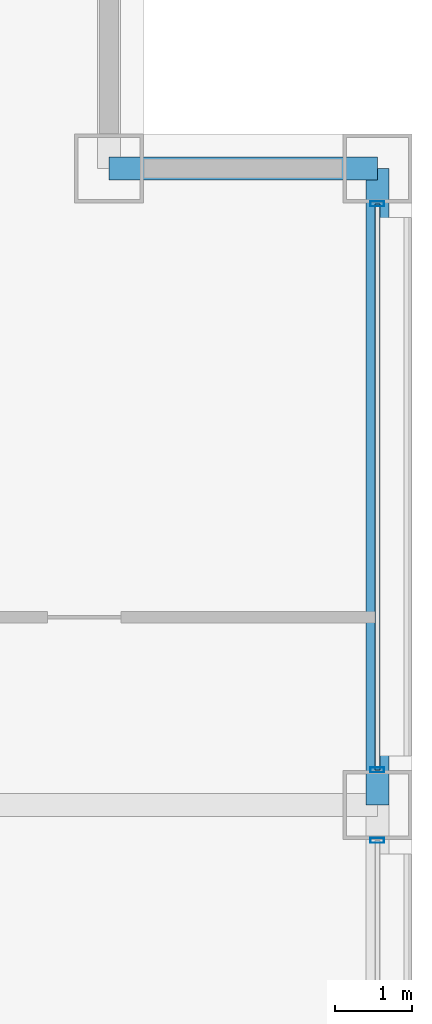
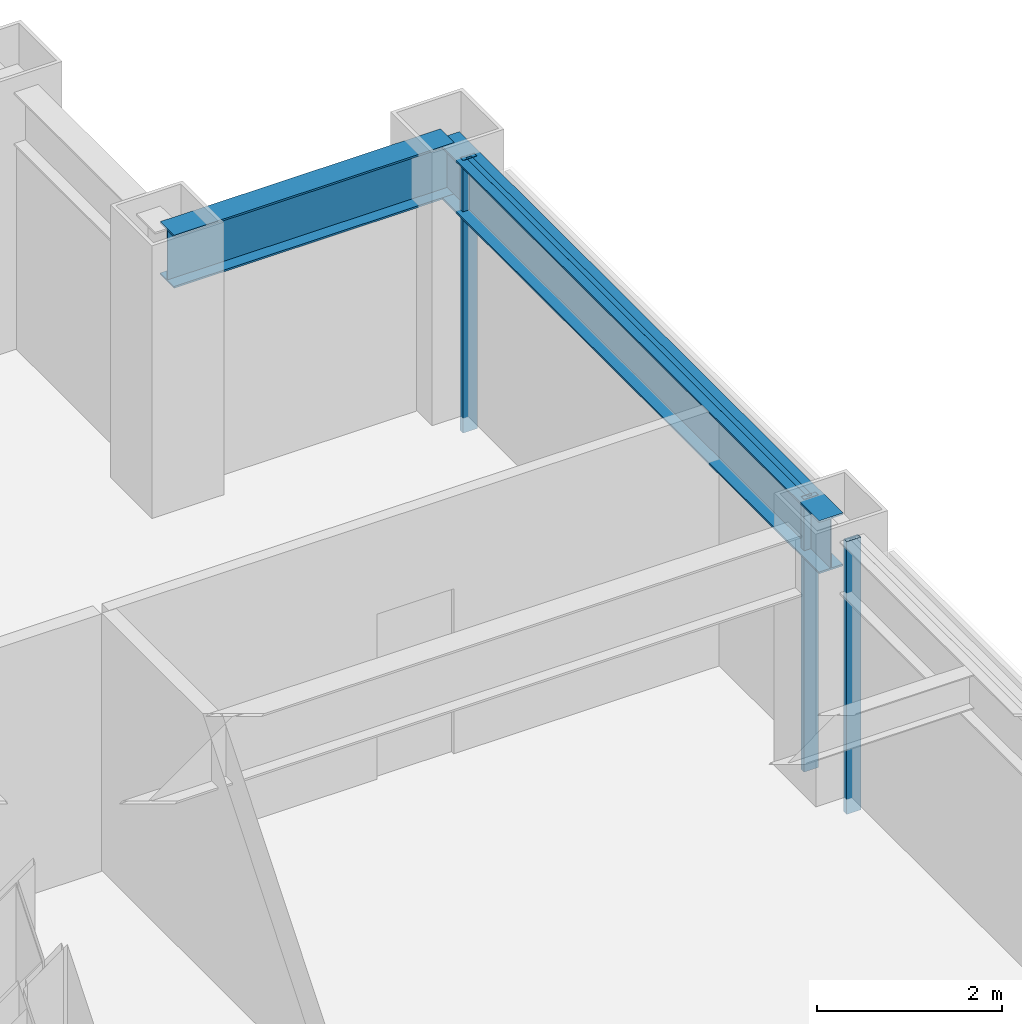
# One storey, part 20 of 29: 4 members, 2 beams, 2 elements without a shape of their own.
"""IFC4 building model written with IfcOpenShell, lengths in metres."""

from ifc_helpers import new_model, si_unit, direction, frame, origin, origin_2d, place, context, subcontext, project, spatial, hollow_rectangle, i_section, extrude, material, layer, layer_set, material_profile, profile_set, type_object, element, aggregate, save


model = new_model("IFC4")

# Units and contexts
model_context = context("Model", 3, precision=1e-05, world=origin(), true_north=direction((0.0, 1.0)))
body_context = subcontext(model_context, "Body", "Model", "MODEL_VIEW")
ifc_project = project(units=[si_unit("LENGTHUNIT", "METRE"), si_unit("AREAUNIT", "SQUARE_METRE"), si_unit("VOLUMEUNIT", "CUBIC_METRE"), si_unit("PLANEANGLEUNIT", "RADIAN"), si_unit("MASSUNIT", "GRAM", prefix="KILO")], contexts=[model_context])

# Site, building, storey
site_placement = place(None, origin())
site = spatial("IfcSite", under=ifc_project, at=site_placement, CompositionType="ELEMENT")
building_placement = place(site_placement, origin())
building = spatial("IfcBuilding", under=site, at=building_placement, Name="Brelmoor Portico Tower", CompositionType="ELEMENT")
storey_placement = place(building_placement, frame((0.0, 0.0, 63.60009765625)))
storey = spatial("IfcBuildingStorey", under=building, at=storey_placement, Name="L16", CompositionType="ELEMENT", Elevation=63.60009765625)

# Beams
ifc_material_1 = material(Name="Steel Q355B", Category="steel")
ifc_material_profile_1 = material_profile(ifc_material_1, i_section(OverallWidth=0.300048828125, OverallDepth=0.699951171875, WebThickness=0.012939453125, FlangeThickness=0.02392578125, at=origin_2d()), Name="HN 700x300x13x24")
ifc_profile_set_1 = profile_set([ifc_material_profile_1], Name="Steel Q355B")
beam_type = type_object("IfcBeamType", Name="BM-SP-700", PredefinedType="SPANDREL", material=ifc_profile_set_1)
beam_1_placement = place(storey_placement, frame((21.050048828125, 18.050048828125, 3.0498046875), z_axis=(1.0, 0.0, 0.0), x_axis=(0.0, 1.0, 0.0)))
element("IfcBeam", 1, at=beam_1_placement, inside=storey, type_object=beam_type, Name="L16 Perimeter Spandrel Beam SP-09", PredefinedType="SPANDREL", context=body_context, shape_type="SweptSolid", body=[
    extrude(i_section(OverallWidth=0.300048828125, OverallDepth=0.699951171875, WebThickness=0.012939453125, FlangeThickness=0.02392578125, at=origin_2d()), origin(), (0.0, 0.0, 1.0), 3.5),
])
beam_2_placement = place(storey_placement, frame((24.550048828125, 9.75, 3.0498046875), z_axis=(0.0, 1.0, 0.0), x_axis=(-1.0, 0.0, 0.0)))
element("IfcBeam", 2, at=beam_2_placement, inside=storey, type_object=beam_type, Name="L16 Perimeter Spandrel Beam SP-24", PredefinedType="SPANDREL", context=body_context, shape_type="SweptSolid", body=[
    extrude(i_section(OverallWidth=0.300048828125, OverallDepth=0.699951171875, WebThickness=0.012939453125, FlangeThickness=0.02392578125, at=origin_2d()), origin(), (0.0, 0.0, 1.0), 8.300048828125),
])

# Curtain wall, member
ifc_material_2 = material(Name="Anodised Aluminium Alloy 6063-T6", Category="aluminium")
ifc_layer = layer(ifc_material_2, 0.179931640625)
ifc_layer_set = layer_set([ifc_layer], Name="Anodised Aluminium Alloy 6063-T6")
curtain_wall_type = type_object("IfcCurtainWallType", Name="CW-TOWER-Z1-XB", PredefinedType="NOTDEFINED", material=ifc_layer_set)
curtain_wall_1_placement = place(storey_placement, origin())
curtain_wall_1 = element("IfcCurtainWall", 3, at=curtain_wall_1_placement, inside=storey, type_object=curtain_wall_type, Name="L16 Curtain Wall CW-L16-04-2", PredefinedType="NOTDEFINED")
ifc_material_profile_2 = material_profile(ifc_material_2, hollow_rectangle(XDim=0.06494140625, YDim=0.179931640625, WallThickness=0.00390625, at=origin_2d()), Name="ALU MULLION 65x180")
ifc_profile_set_2 = profile_set([ifc_material_profile_2], Name="Anodised Aluminium Alloy 6063-T6")
member_type_1 = type_object("IfcMemberType", Name="MB-CW-MULL-180", PredefinedType="MULLION", material=ifc_profile_set_2)
member_1_placement = place(storey_placement, frame((24.550048828125, 9.2900390625, -0.2001953125), z_axis=(0.0, 0.0, 1.0), x_axis=(0.0, 1.0, 0.0)))
member_1 = element("IfcMember", 4, at=member_1_placement, type_object=member_type_1, Name="CW-L16-04-2 Mullion 02", PredefinedType="MULLION", context=body_context, shape_type="SweptSolid", body=[
    extrude(hollow_rectangle(XDim=0.06494140625, YDim=0.179931640625, WallThickness=0.00390625, at=origin_2d()), origin(), (0.0, 0.0, 1.0), 3.60009765625),
])
aggregate(curtain_wall_1, [member_1])

# Curtain wall, members
curtain_wall_2_placement = place(storey_placement, origin())
curtain_wall_2 = element("IfcCurtainWall", 5, at=curtain_wall_2_placement, inside=storey, type_object=curtain_wall_type, Name="L16 Curtain Wall CW-L16-04-3", PredefinedType="NOTDEFINED")
member_2_placement = place(storey_placement, frame((24.550048828125, 10.2099609375, -0.2001953125), z_axis=(0.0, 0.0, 1.0), x_axis=(0.0, 1.0, 0.0)))
member_2 = element("IfcMember", 6, at=member_2_placement, type_object=member_type_1, Name="CW-L16-04-3 Mullion 00", PredefinedType="MULLION", context=body_context, shape_type="SweptSolid", body=[
    extrude(hollow_rectangle(XDim=0.06494140625, YDim=0.179931640625, WallThickness=0.00390625, at=origin_2d()), origin(), (0.0, 0.0, 1.0), 3.60009765625),
])
member_3_placement = place(storey_placement, frame((24.550048828125, 17.590087890625, -0.2001953125), z_axis=(0.0, 0.0, 1.0), x_axis=(0.0, 1.0, 0.0)))
member_3 = element("IfcMember", 7, at=member_3_placement, type_object=member_type_1, Name="CW-L16-04-3 Mullion 01", PredefinedType="MULLION", context=body_context, shape_type="SweptSolid", body=[
    extrude(hollow_rectangle(XDim=0.06494140625, YDim=0.179931640625, WallThickness=0.00390625, at=origin_2d()), origin(), (0.0, 0.0, 1.0), 3.60009765625),
])
ifc_material_profile_3 = material_profile(ifc_material_2, hollow_rectangle(XDim=0.06494140625, YDim=0.139892578125, WallThickness=0.00390625, at=origin_2d()), Name="ALU TRANSOM 65x140")
ifc_profile_set_3 = profile_set([ifc_material_profile_3], Name="Anodised Aluminium Alloy 6063-T6")
member_type_2 = type_object("IfcMemberType", Name="MB-CW-TRAN-140", PredefinedType="USERDEFINED", material=ifc_profile_set_3)
member_4_placement = place(storey_placement, frame((24.550048828125, 10.2099609375, 3.329833984375), z_axis=(0.0, 1.0, 0.0), x_axis=(-1.0, 0.0, 0.0)))
member_4 = element("IfcMember", 8, at=member_4_placement, type_object=member_type_2, Name="CW-L16-04-3 Transom 1-00", ObjectType="TRANSOM", PredefinedType="USERDEFINED", context=body_context, shape_type="SweptSolid", body=[
    extrude(hollow_rectangle(XDim=0.06494140625, YDim=0.139892578125, WallThickness=0.00390625, at=origin_2d()), origin(), (0.0, 0.0, 1.0), 7.380126953125),
])
aggregate(curtain_wall_2, [member_2, member_3, member_4])

save(model, "model.ifc")
